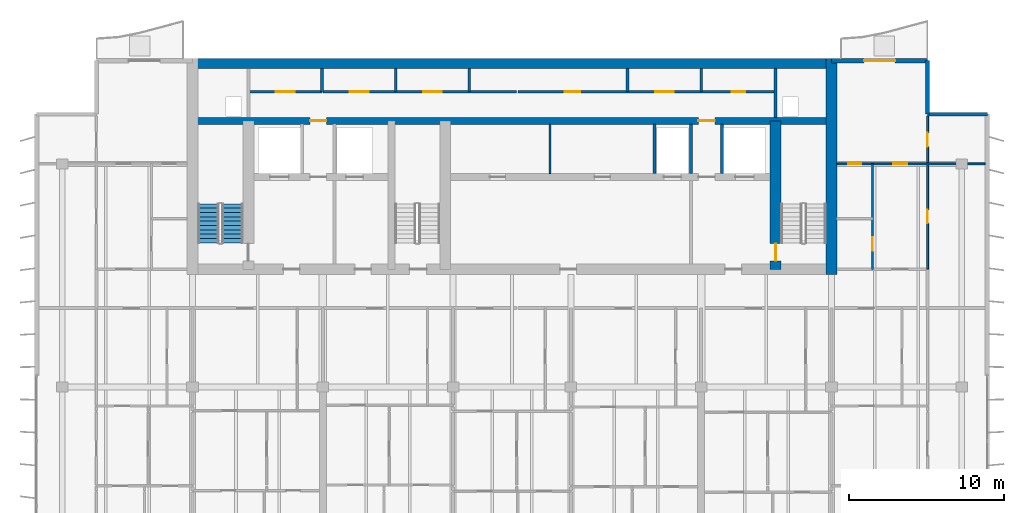
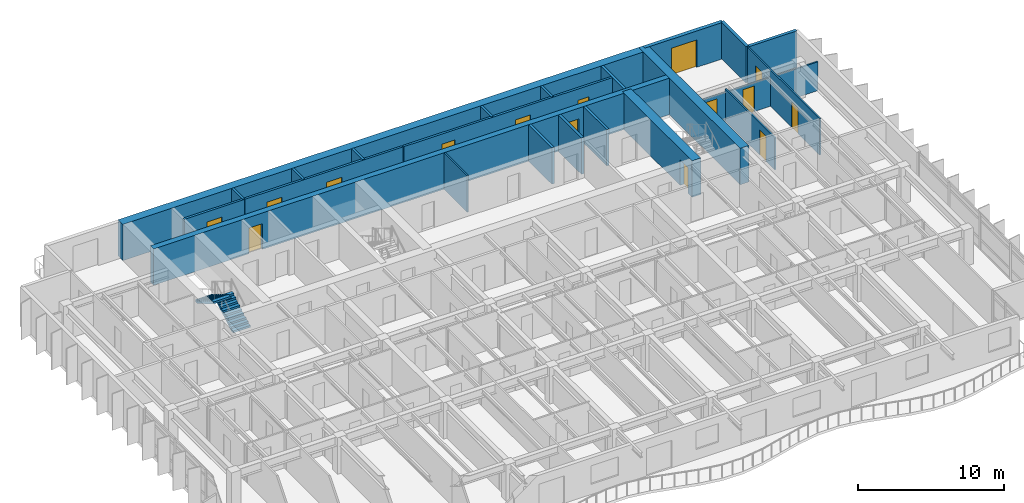
# One storey, part 11 of 17: 23 walls, 15 doors, 2 stair flights, 15 openings, 1 element without a shape of its own.
"""IFC4 building model written with IfcOpenShell, lengths in metres."""

from ifc_helpers import new_model, si_unit, direction, frame, frame_2d, origin, place, context, subcontext, project, spatial, polyline, rectangle, outline, extrude, material, layer, layer_set, type_object, element, fill, aggregate, save


model = new_model("IFC4")

# Units and contexts
model_context = context("Model", 3, precision=1e-05, world=origin(), true_north=direction((0.0, 1.0)))
body_context = subcontext(model_context, "Body", "Model", "MODEL_VIEW")
ifc_project = project(units=[si_unit("LENGTHUNIT", "METRE"), si_unit("AREAUNIT", "SQUARE_METRE"), si_unit("VOLUMEUNIT", "CUBIC_METRE"), si_unit("PLANEANGLEUNIT", "RADIAN"), si_unit("MASSUNIT", "GRAM", prefix="KILO")], contexts=[model_context])

# Site, building, storey
site_placement = place(None, origin())
site = spatial("IfcSite", under=ifc_project, at=site_placement, CompositionType="ELEMENT")
building_placement = place(site_placement, origin())
building = spatial("IfcBuilding", under=site, at=building_placement, Name="Caelmar Bay Residences", CompositionType="ELEMENT")
storey_placement = place(building_placement, frame((0.0, 0.0, 229.800048828125)))
storey = spatial("IfcBuildingStorey", under=building, at=storey_placement, Name="L64", CompositionType="ELEMENT", Elevation=229.800048828125)

# Wall
ifc_material_1 = material(Name="Concrete f'c 55 MPa (8,000 psi)", Category="concrete")
ifc_layer_1 = layer(ifc_material_1, 0.699951171875)
ifc_layer_set_1 = layer_set([ifc_layer_1], Name="Concrete f'c 55 MPa (8,000 psi)")
wall_type_1 = type_object("IfcWallType", Name="SW-COR-700", PredefinedType="SHEAR", material=ifc_layer_set_1)
wall_1_placement = place(storey_placement, frame((59.5, 36.64990234375, 0.0), z_axis=(0.0, 0.0, 1.0), x_axis=(0.0, 1.0, 0.0)))
element("IfcWall", 1, at=wall_1_placement, inside=storey, type_object=wall_type_1, Name="L64 Rear Core East Shear Wall", PredefinedType="SHEAR", context=body_context, shape_type="SweptSolid", body=[
    extrude(rectangle(XDim=13.9501953125, YDim=0.699951171875, at=frame_2d((6.97509765625, 0.0))), origin(), (0.0, 0.0, 1.0), 3.050048828125),
])

# Wall, opening, door
wall_2_placement = place(storey_placement, frame((55.89990234375, 37.0, 0.0), z_axis=(0.0, 0.0, 1.0), x_axis=(0.0, 1.0, 0.0)))
wall_2 = element("IfcWall", 2, at=wall_2_placement, inside=storey, type_object=wall_type_1, Name="L64 Core Structural Web Wall ST2W", PredefinedType="SHEAR", context=body_context, shape_type="SweptSolid", body=[
    extrude(rectangle(XDim=9.574951171875, YDim=0.699951171875, at=frame_2d((4.78759765625, 0.0))), origin(), (0.0, 0.0, 1.0), 3.050048828125),
])
opening_1_placement = place(wall_2_placement, frame((0.550048828125, 0.0, 0.0)))
opening_1 = element("IfcOpeningElement", 3, at=opening_1_placement, cuts=wall_2, Name="Opening D-L64-110", PredefinedType="OPENING", context=body_context, shape_type="SweptSolid", body=[
    extrude(rectangle(XDim=1.10009765625, YDim=2.14990234375, at=frame_2d((0.550048828125, 1.074951171875))), frame((0.0, 0.35986328125, 0.0), z_axis=(0.0, -1.0, 0.0), x_axis=(1.0, 0.0, 0.0)), (0.0, 0.0, 1.0), 0.719970703125),
])
ifc_material_2 = material(Name="Fire-rated steel and walnut architectural door assembly", Category="steel")
ifc_layer_2 = layer(ifc_material_2, 0.050048828125)
ifc_layer_set_2 = layer_set([ifc_layer_2], Name="Fire-rated steel and walnut architectural door assembly")
door_type_1 = type_object("IfcDoorType", Name="D-STAIR-1100", OperationType="NOTDEFINED", PredefinedType="DOOR", material=ifc_layer_set_2)
door_1_placement = place(opening_1_placement, origin())
door_1 = element("IfcDoor", 4, at=door_1_placement, inside=storey, type_object=door_type_1, Name="L64 Firefighting Lobby East Door", OperationType="SINGLE_SWING_LEFT", OverallHeight=2.14990234375, OverallWidth=1.10009765625, PredefinedType="DOOR", context=body_context, shape_type="SweptSolid", body=[
    extrude(rectangle(XDim=1.10009765625, YDim=2.14990234375, at=frame_2d((0.550048828125, 1.074951171875))), frame((0.0, 0.02490234375, 0.0), z_axis=(0.0, -1.0, 0.0), x_axis=(1.0, 0.0, 0.0)), (0.0, 0.0, 1.0), 0.050048828125),
])
fill(opening_1, door_1)

# Wall
ifc_layer_3 = layer(ifc_material_1, 0.64990234375)
ifc_layer_set_3 = layer_set([ifc_layer_3], Name="Concrete f'c 55 MPa (8,000 psi)")
wall_type_2 = type_object("IfcWallType", Name="SW-CORN-650", PredefinedType="SHEAR", material=ifc_layer_set_3)
wall_3_placement = place(storey_placement, frame((17.949951171875, 50.27490234375, 0.0), z_axis=(0.0, 0.0, 1.0), x_axis=(1.0, 0.0, 0.0)))
element("IfcWall", 5, at=wall_3_placement, inside=storey, type_object=wall_type_2, Name="L64 Rear Core North Shear Wall", PredefinedType="SHEAR", context=body_context, shape_type="SweptSolid", body=[
    extrude(rectangle(XDim=41.900146484375, YDim=0.64990234375, at=frame_2d((20.9501953125, 0.0))), origin(), (0.0, 0.0, 1.0), 3.050048828125),
])

# Wall, openings, doors
ifc_material_3 = material(Name="Concrete f'c 70 MPa (10,000 psi)", Category="concrete")
ifc_layer_4 = layer(ifc_material_3, 0.449951171875)
ifc_layer_set_4 = layer_set([ifc_layer_4], Name="Concrete f'c 70 MPa (10,000 psi)")
wall_type_3 = type_object("IfcWallType", Name="SW-WEB-450", PredefinedType="SHEAR", material=ifc_layer_set_4)
wall_4_placement = place(storey_placement, frame((18.300048828125, 46.574951171875, 0.0), z_axis=(0.0, 0.0, 1.0), x_axis=(1.0, 0.0, 0.0)))
wall_4 = element("IfcWall", 6, at=wall_4_placement, inside=storey, type_object=wall_type_3, Name="L64 Core Structural Web Wall SRVS", PredefinedType="SHEAR", context=body_context, shape_type="SweptSolid", body=[
    extrude(rectangle(XDim=41.199951171875, YDim=0.449951171875, at=frame_2d((20.60009765625, 0.0))), origin(), (0.0, 0.0, 1.0), 3.050048828125),
])
opening_2_placement = place(wall_4_placement, frame((7.574951171875, 0.0, 0.0)))
opening_2 = element("IfcOpeningElement", 7, at=opening_2_placement, cuts=wall_4, Name="Opening D-L64-116", PredefinedType="OPENING", context=body_context, shape_type="SweptSolid", body=[
    extrude(rectangle(XDim=1.050048828125, YDim=2.14990234375, at=frame_2d((0.52490234375, 1.074951171875))), frame((0.0, 0.23486328125, 0.0), z_axis=(0.0, -1.0, 0.0), x_axis=(1.0, 0.0, 0.0)), (0.0, 0.0, 1.0), 0.469970703125),
])
opening_3_placement = place(wall_4_placement, frame((32.625, 0.0, 0.0)))
opening_3 = element("IfcOpeningElement", 8, at=opening_3_placement, cuts=wall_4, Name="Opening D-L64-117", PredefinedType="OPENING", context=body_context, shape_type="SweptSolid", body=[
    extrude(rectangle(XDim=1.050048828125, YDim=2.14990234375, at=frame_2d((0.52490234375, 1.074951171875))), frame((0.0, 0.23486328125, 0.0), z_axis=(0.0, -1.0, 0.0), x_axis=(1.0, 0.0, 0.0)), (0.0, 0.0, 1.0), 0.469970703125),
])
ifc_layer_5 = layer(ifc_material_2, 0.050048828125)
ifc_layer_set_5 = layer_set([ifc_layer_5], Name="Fire-rated steel and walnut architectural door assembly")
door_type_2 = type_object("IfcDoorType", Name="D-FSAE-1050", OperationType="NOTDEFINED", PredefinedType="DOOR", material=ifc_layer_set_5)
door_2_placement = place(opening_2_placement, origin())
door_2 = element("IfcDoor", 9, at=door_2_placement, inside=storey, type_object=door_type_2, Name="L64 Core Service Corridor Door", OperationType="SINGLE_SWING_LEFT", OverallHeight=2.14990234375, OverallWidth=1.050048828125, PredefinedType="DOOR", context=body_context, shape_type="SweptSolid", body=[
    extrude(rectangle(XDim=1.050048828125, YDim=2.14990234375, at=frame_2d((0.52490234375, 1.074951171875))), frame((0.0, 0.02490234375, 0.0), z_axis=(0.0, -1.0, 0.0), x_axis=(1.0, 0.0, 0.0)), (0.0, 0.0, 1.0), 0.050048828125),
])
fill(opening_2, door_2)
door_3_placement = place(opening_3_placement, origin())
door_3 = element("IfcDoor", 10, at=door_3_placement, inside=storey, type_object=door_type_2, Name="L64 Core Service Corridor Door", OperationType="SINGLE_SWING_RIGHT", OverallHeight=2.14990234375, OverallWidth=1.050048828125, PredefinedType="DOOR", context=body_context, shape_type="SweptSolid", body=[
    extrude(rectangle(XDim=1.050048828125, YDim=2.14990234375, at=frame_2d((0.52490234375, 1.074951171875))), frame((0.0, 0.02490234375, 0.0), z_axis=(0.0, -1.0, 0.0), x_axis=(1.0, 0.0, 0.0)), (0.0, 0.0, 1.0), 0.050048828125),
])
fill(opening_3, door_3)

# Walls
ifc_material_4 = material(Name="Double-stud acoustic fire-rated gypsum partition 180 mm")
ifc_layer_6 = layer(ifc_material_4, 0.179931640625)
ifc_layer_set_6 = layer_set([ifc_layer_6], Name="Double-stud acoustic fire-rated gypsum partition 180 mm")
wall_type_4 = type_object("IfcWallType", Name="W-COR-200", PredefinedType="PARTITIONING", material=ifc_layer_set_6)
for number, where, z_axis, x_axis, name in (
    (11, (26.64990234375, 48.449951171875, 0.0), (0.0, 0.0, 1.0), (0.0, 1.0, 0.0), "L64 Partition Wall V029"),
    (12, (31.39990234375, 48.449951171875, 0.0), (0.0, 0.0, 1.0), (0.0, 1.0, 0.0), "L64 Partition Wall V040"),
    (13, (36.14990234375, 48.449951171875, 0.0), (0.0, 0.0, 1.0), (0.0, 1.0, 0.0), "L64 Partition Wall V048"),
    (14, (46.35009765625, 48.449951171875, 0.0), (0.0, 0.0, 1.0), (0.0, 1.0, 0.0), "L64 Partition Wall V062"),
    (15, (51.10009765625, 48.449951171875, 0.0), (0.0, 0.0, 1.0), (0.0, 1.0, 0.0), "L64 Partition Wall V075"),
):
    element("IfcWall", number, at=place(storey_placement, frame(where, z_axis=z_axis, x_axis=x_axis)), inside=storey, type_object=wall_type_4, Name=name, PredefinedType="PARTITIONING", context=body_context, shape_type="SweptSolid", body=[
        extrude(rectangle(XDim=1.505126953125, YDim=0.179931640625, at=frame_2d((0.75244140625, 0.0))), origin(), (0.0, 0.0, 1.0), 3.050048828125),
    ])

# Wall, opening, door
wall_5_placement = place(storey_placement, frame((21.89990234375, 48.449951171875, 0.0), z_axis=(0.0, 0.0, 1.0), x_axis=(1.0, 0.0, 0.0)))
wall_5 = element("IfcWall", 16, at=wall_5_placement, inside=storey, type_object=wall_type_4, Name="L64 Partition Wall H131", PredefinedType="PARTITIONING", context=body_context, shape_type="SweptSolid", body=[
    extrude(rectangle(XDim=4.75, YDim=0.179931640625, at=frame_2d((2.375, 0.0))), origin(), (0.0, 0.0, 1.0), 3.050048828125),
])
opening_4_placement = place(wall_5_placement, frame((1.77490234375, 0.0, 0.0)))
opening_4 = element("IfcOpeningElement", 17, at=opening_4_placement, cuts=wall_5, Name="Opening D-L64-118", PredefinedType="OPENING", context=body_context, shape_type="SweptSolid", body=[
    extrude(rectangle(XDim=1.199951171875, YDim=2.199951171875, at=frame_2d((0.60009765625, 1.10009765625))), frame((0.0, 0.099853515625, 0.0), z_axis=(0.0, -1.0, 0.0), x_axis=(1.0, 0.0, 0.0)), (0.0, 0.0, 1.0), 0.199951171875),
])
ifc_layer_7 = layer(ifc_material_2, 0.050048828125)
ifc_layer_set_7 = layer_set([ifc_layer_7], Name="Fire-rated steel and walnut architectural door assembly")
door_type_3 = type_object("IfcDoorType", Name="D-PLANT-1200", OperationType="NOTDEFINED", PredefinedType="DOOR", material=ifc_layer_set_7)
door_4_placement = place(opening_4_placement, origin())
door_4 = element("IfcDoor", 18, at=door_4_placement, inside=storey, type_object=door_type_3, Name="L64 Branch Panel Closet Door", OperationType="SINGLE_SWING_LEFT", OverallHeight=2.199951171875, OverallWidth=1.199951171875, PredefinedType="DOOR", context=body_context, shape_type="SweptSolid", body=[
    extrude(rectangle(XDim=1.199951171875, YDim=2.199951171875, at=frame_2d((0.60009765625, 1.10009765625))), frame((0.0, 0.02490234375, 0.0), z_axis=(0.0, -1.0, 0.0), x_axis=(1.0, 0.0, 0.0)), (0.0, 0.0, 1.0), 0.050048828125),
])
fill(opening_4, door_4)

# Wall, openings, doors
wall_6_placement = place(storey_placement, frame((26.699951171875, 48.449951171875, 0.0), z_axis=(0.0, 0.0, 1.0), x_axis=(1.0, 0.0, 0.0)))
wall_6 = element("IfcWall", 19, at=wall_6_placement, inside=storey, type_object=wall_type_4, Name="L64 Partition Wall H132", PredefinedType="PARTITIONING", context=body_context, shape_type="SweptSolid", body=[
    extrude(rectangle(XDim=12.504150390625, YDim=0.179931640625, at=frame_2d((6.251953125, 0.0))), origin(), (0.0, 0.0, 1.0), 3.050048828125),
])
opening_5_placement = place(wall_6_placement, frame((1.75, 0.0, 0.0)))
opening_5 = element("IfcOpeningElement", 20, at=opening_5_placement, cuts=wall_6, Name="Opening D-L64-119", PredefinedType="OPENING", context=body_context, shape_type="SweptSolid", body=[
    extrude(rectangle(XDim=1.199951171875, YDim=2.199951171875, at=frame_2d((0.60009765625, 1.10009765625))), frame((0.0, 0.099853515625, 0.0), z_axis=(0.0, -1.0, 0.0), x_axis=(1.0, 0.0, 0.0)), (0.0, 0.0, 1.0), 0.199951171875),
])
opening_6_placement = place(wall_6_placement, frame((6.47509765625, 0.0, 0.0)))
opening_6 = element("IfcOpeningElement", 21, at=opening_6_placement, cuts=wall_6, Name="Opening D-L64-120", PredefinedType="OPENING", context=body_context, shape_type="SweptSolid", body=[
    extrude(rectangle(XDim=1.199951171875, YDim=2.199951171875, at=frame_2d((0.60009765625, 1.10009765625))), frame((0.0, 0.099853515625, 0.0), z_axis=(0.0, -1.0, 0.0), x_axis=(1.0, 0.0, 0.0)), (0.0, 0.0, 1.0), 0.199951171875),
])
door_5_placement = place(opening_5_placement, origin())
door_5 = element("IfcDoor", 22, at=door_5_placement, inside=storey, type_object=door_type_3, Name="L64 Water Meter Closet Door", OperationType="SINGLE_SWING_RIGHT", OverallHeight=2.199951171875, OverallWidth=1.199951171875, PredefinedType="DOOR", context=body_context, shape_type="SweptSolid", body=[
    extrude(rectangle(XDim=1.199951171875, YDim=2.199951171875, at=frame_2d((0.60009765625, 1.10009765625))), frame((0.0, 0.02490234375, 0.0), z_axis=(0.0, -1.0, 0.0), x_axis=(1.0, 0.0, 0.0)), (0.0, 0.0, 1.0), 0.050048828125),
])
fill(opening_5, door_5)
door_6_placement = place(opening_6_placement, origin())
door_6 = element("IfcDoor", 23, at=door_6_placement, inside=storey, type_object=door_type_3, Name="L64 Low-Voltage Data Closet Door", OperationType="SINGLE_SWING_LEFT", OverallHeight=2.199951171875, OverallWidth=1.199951171875, PredefinedType="DOOR", context=body_context, shape_type="SweptSolid", body=[
    extrude(rectangle(XDim=1.199951171875, YDim=2.199951171875, at=frame_2d((0.60009765625, 1.10009765625))), frame((0.0, 0.02490234375, 0.0), z_axis=(0.0, -1.0, 0.0), x_axis=(1.0, 0.0, 0.0)), (0.0, 0.0, 1.0), 0.050048828125),
])
fill(opening_6, door_6)

wall_7_placement = place(storey_placement, frame((39.280029296875, 48.449951171875, 0.0), z_axis=(0.0, 0.0, 1.0), x_axis=(1.0, 0.0, 0.0)))
wall_7 = element("IfcWall", 24, at=wall_7_placement, inside=storey, type_object=wall_type_4, Name="L64 Partition Wall H133", PredefinedType="PARTITIONING", context=body_context, shape_type="SweptSolid", body=[
    extrude(rectangle(XDim=16.619873046875, YDim=0.179931640625, at=frame_2d((8.31005859375, 0.0))), origin(), (0.0, 0.0, 1.0), 3.050048828125),
])
opening_7_placement = place(wall_7_placement, frame((3.034912109375, 0.0, 0.0)))
opening_7 = element("IfcOpeningElement", 25, at=opening_7_placement, cuts=wall_7, Name="Opening D-L64-121", PredefinedType="OPENING", context=body_context, shape_type="SweptSolid", body=[
    extrude(rectangle(XDim=1.0, YDim=2.199951171875, at=frame_2d((0.5, 1.10009765625))), frame((0.0, 0.099853515625, 0.0), z_axis=(0.0, -1.0, 0.0), x_axis=(1.0, 0.0, 0.0)), (0.0, 0.0, 1.0), 0.199951171875),
])
opening_8_placement = place(wall_7_placement, frame((8.844970703125, 0.0, 0.0)))
opening_8 = element("IfcOpeningElement", 26, at=opening_8_placement, cuts=wall_7, Name="Opening D-L64-122", PredefinedType="OPENING", context=body_context, shape_type="SweptSolid", body=[
    extrude(rectangle(XDim=1.199951171875, YDim=2.199951171875, at=frame_2d((0.60009765625, 1.10009765625))), frame((0.0, 0.099853515625, 0.0), z_axis=(0.0, -1.0, 0.0), x_axis=(1.0, 0.0, 0.0)), (0.0, 0.0, 1.0), 0.199951171875),
])
opening_9_placement = place(wall_7_placement, frame((13.794921875, 0.0, 0.0)))
opening_9 = element("IfcOpeningElement", 27, at=opening_9_placement, cuts=wall_7, Name="Opening D-L64-123", PredefinedType="OPENING", context=body_context, shape_type="SweptSolid", body=[
    extrude(rectangle(XDim=0.85009765625, YDim=2.10009765625, at=frame_2d((0.425048828125, 1.050048828125))), frame((0.0, 0.099853515625, 0.0), z_axis=(0.0, -1.0, 0.0), x_axis=(1.0, 0.0, 0.0)), (0.0, 0.0, 1.0), 0.199951171875),
])
ifc_layer_8 = layer(ifc_material_2, 0.050048828125)
ifc_layer_set_8 = layer_set([ifc_layer_8], Name="Fire-rated steel and walnut architectural door assembly")
door_type_4 = type_object("IfcDoorType", Name="D-CORE-850", OperationType="NOTDEFINED", PredefinedType="DOOR", material=ifc_layer_set_8)
door_7_placement = place(opening_9_placement, origin())
door_7 = element("IfcDoor", 28, at=door_7_placement, inside=storey, type_object=door_type_4, Name="L64 Staff Restroom Door", OperationType="SINGLE_SWING_RIGHT", OverallHeight=2.10009765625, OverallWidth=0.85009765625, PredefinedType="DOOR", context=body_context, shape_type="SweptSolid", body=[
    extrude(rectangle(XDim=0.85009765625, YDim=2.10009765625, at=frame_2d((0.425048828125, 1.050048828125))), frame((0.0, 0.02490234375, 0.0), z_axis=(0.0, -1.0, 0.0), x_axis=(1.0, 0.0, 0.0)), (0.0, 0.0, 1.0), 0.050048828125),
])
fill(opening_9, door_7)
door_8_placement = place(opening_8_placement, origin())
door_8 = element("IfcDoor", 29, at=door_8_placement, inside=storey, type_object=door_type_3, Name="L64 Valet Trunk Closet Door", OperationType="SINGLE_SWING_LEFT", OverallHeight=2.199951171875, OverallWidth=1.199951171875, PredefinedType="DOOR", context=body_context, shape_type="SweptSolid", body=[
    extrude(rectangle(XDim=1.199951171875, YDim=2.199951171875, at=frame_2d((0.60009765625, 1.10009765625))), frame((0.0, 0.02490234375, 0.0), z_axis=(0.0, -1.0, 0.0), x_axis=(1.0, 0.0, 0.0)), (0.0, 0.0, 1.0), 0.050048828125),
])
fill(opening_8, door_8)
ifc_layer_9 = layer(ifc_material_2, 0.050048828125)
ifc_layer_set_9 = layer_set([ifc_layer_9], Name="Fire-rated steel and walnut architectural door assembly")
door_type_5 = type_object("IfcDoorType", Name="D-UNIT-1000", OperationType="NOTDEFINED", PredefinedType="DOOR", material=ifc_layer_set_9)
door_9_placement = place(opening_7_placement, origin())
door_9 = element("IfcDoor", 30, at=door_9_placement, inside=storey, type_object=door_type_5, Name="L64 Mail Sorting Office Door", OperationType="SINGLE_SWING_RIGHT", OverallHeight=2.199951171875, OverallWidth=1.0, PredefinedType="DOOR", context=body_context, shape_type="SweptSolid", body=[
    extrude(rectangle(XDim=1.0, YDim=2.199951171875, at=frame_2d((0.5, 1.10009765625))), frame((0.0, 0.02490234375, 0.0), z_axis=(0.0, -1.0, 0.0), x_axis=(1.0, 0.0, 0.0)), (0.0, 0.0, 1.0), 0.050048828125),
])
fill(opening_7, door_9)

# Walls
ifc_material_5 = material(Name="Precast concrete f'c 40 MPa (6,000 psi)", Category="concrete")
ifc_layer_10 = layer(ifc_material_5, 0.25)
ifc_layer_set_10 = layer_set([ifc_layer_10], Name="Precast concrete f'c 40 MPa (6,000 psi)")
wall_type_5 = type_object("IfcWallType", Name="W-EXT-250", PredefinedType="ELEMENTEDWALL", material=ifc_layer_set_10)
wall_8_placement = place(storey_placement, frame((65.699951171875, 50.449951171875, 0.0), z_axis=(0.0, 0.0, 1.0), x_axis=(0.0, -1.0, 0.0)))
element("IfcWall", 31, at=wall_8_placement, inside=storey, type_object=wall_type_5, Name="L64 NNE-V Notch Wall", PredefinedType="ELEMENTEDWALL", context=body_context, shape_type="SweptSolid", body=[
    extrude(rectangle(XDim=3.449951171875, YDim=0.25, at=frame_2d((1.72509765625, 0.0))), origin(), (0.0, 0.0, 1.0), 3.050048828125),
])
wall_9_placement = place(storey_placement, frame((65.699951171875, 47.0, 0.0), z_axis=(0.0, 0.0, 1.0), x_axis=(1.0, 0.0, 0.0)))
element("IfcWall", 32, at=wall_9_placement, inside=storey, type_object=wall_type_5, Name="L64 NNE-H Notch Wall", PredefinedType="ELEMENTEDWALL", context=body_context, shape_type="SweptSolid", body=[
    extrude(rectangle(XDim=3.85009765625, YDim=0.25, at=frame_2d((1.925048828125, 0.0))), origin(), (0.0, 0.0, 1.0), 3.050048828125),
])

# Wall, opening, door
ifc_layer_11 = layer(ifc_material_5, 0.300048828125)
ifc_layer_set_11 = layer_set([ifc_layer_11], Name="Precast concrete f'c 40 MPa (6,000 psi)")
wall_type_6 = type_object("IfcWallType", Name="W-EXT-300", PredefinedType="STANDARD", material=ifc_layer_set_11)
wall_10_placement = place(storey_placement, frame((59.5, 50.449951171875, 0.0), z_axis=(0.0, 0.0, 1.0), x_axis=(1.0, 0.0, 0.0)))
wall_10 = element("IfcWall", 33, at=wall_10_placement, inside=storey, type_object=wall_type_6, Name="L64 North-East Wing Exterior Wall", PredefinedType="STANDARD", context=body_context, shape_type="SweptSolid", body=[
    extrude(rectangle(XDim=6.199951171875, YDim=0.300048828125, at=frame_2d((3.10009765625, 0.0))), origin(), (0.0, 0.0, 1.0), 3.050048828125),
])
opening_10_placement = place(wall_10_placement, frame((2.10009765625, 0.0, 0.0)))
opening_10 = element("IfcOpeningElement", 34, at=opening_10_placement, cuts=wall_10, Name="Opening L64-BDNE", PredefinedType="OPENING", context=body_context, shape_type="SweptSolid", body=[
    extrude(rectangle(XDim=2.0, YDim=2.300048828125, at=frame_2d((1.0, 1.14990234375))), frame((0.0, 0.159912109375, 0.0), z_axis=(0.0, -1.0, 0.0), x_axis=(1.0, 0.0, 0.0)), (0.0, 0.0, 1.0), 0.320068359375),
])
ifc_material_6 = material(Name="Anodised bronze thermally broken sliding glass door", Category="glass")
ifc_layer_12 = layer(ifc_material_6, 0.050048828125)
ifc_layer_set_12 = layer_set([ifc_layer_12], Name="Anodised bronze thermally broken sliding glass door")
door_type_6 = type_object("IfcDoorType", Name="D-BAL-2000", OperationType="DOUBLE_DOOR_SLIDING", PredefinedType="DOOR", material=ifc_layer_set_12)
door_10_placement = place(opening_10_placement, origin())
door_10 = element("IfcDoor", 35, at=door_10_placement, inside=storey, type_object=door_type_6, Name="L64 North-East Balcony Door", OperationType="DOUBLE_DOOR_SLIDING", OverallHeight=2.300048828125, OverallWidth=2.0, PredefinedType="DOOR", context=body_context, shape_type="SweptSolid", body=[
    extrude(rectangle(XDim=2.0, YDim=2.300048828125, at=frame_2d((1.0, 1.14990234375))), frame((0.0, 0.02490234375, 0.0), z_axis=(0.0, -1.0, 0.0), x_axis=(1.0, 0.0, 0.0)), (0.0, 0.0, 1.0), 0.050048828125),
])
fill(opening_10, door_10)

# Walls
ifc_material_7 = material(Name="Fire-rated masonry and gypsum shaftliner assembly 200 mm", Category="masonry")
ifc_layer_13 = layer(ifc_material_7, 0.199951171875)
ifc_layer_set_13 = layer_set([ifc_layer_13], Name="Fire-rated masonry and gypsum shaftliner assembly 200 mm")
wall_type_7 = type_object("IfcWallType", Name="W-FSAE-200", PredefinedType="PARTITIONING", material=ifc_layer_set_13)
for number, where, z_axis, x_axis, name in (
    (36, (48.10009765625, 43.169921875, 0.0), (0.0, 0.0, 1.0), (0.0, 1.0, 0.0), "L64 Partition Wall V068"),
    (37, (50.449951171875, 43.169921875, 0.0), (0.0, 0.0, 1.0), (0.0, 1.0, 0.0), "L64 Partition Wall V071"),
    (38, (52.449951171875, 43.169921875, 0.0), (0.0, 0.0, 1.0), (0.0, 1.0, 0.0), "L64 Partition Wall V076"),
):
    element("IfcWall", number, at=place(storey_placement, frame(where, z_axis=z_axis, x_axis=x_axis)), inside=storey, type_object=wall_type_7, Name=name, PredefinedType="PARTITIONING", context=body_context, shape_type="SweptSolid", body=[
        extrude(rectangle(XDim=3.18505859375, YDim=0.199951171875, at=frame_2d((1.592529296875, 0.0))), origin(), (0.0, 0.0, 1.0), 3.050048828125),
    ])
wall_11_placement = place(storey_placement, frame((55.89990234375, 46.794921875, 0.0), z_axis=(0.0, 0.0, 1.0), x_axis=(0.0, 1.0, 0.0)))
element("IfcWall", 39, at=wall_11_placement, inside=storey, type_object=wall_type_7, Name="L64 Partition Wall V081", PredefinedType="PARTITIONING", context=body_context, shape_type="SweptSolid", body=[
    extrude(rectangle(XDim=3.16015625, YDim=0.199951171875, at=frame_2d((1.580078125, 0.0))), origin(), (0.0, 0.0, 1.0), 3.050048828125),
])
ifc_material_8 = material(Name="Acoustic metal-stud gypsum partition 120 mm")
ifc_layer_14 = layer(ifc_material_8, 0.1201171875)
ifc_layer_set_14 = layer_set([ifc_layer_14], Name="Acoustic metal-stud gypsum partition 120 mm")
wall_type_8 = type_object("IfcWallType", Name="W-PRT-120", PredefinedType="PARTITIONING", material=ifc_layer_set_14)
wall_12_placement = place(storey_placement, frame((41.35009765625, 43.169921875, 0.0), z_axis=(0.0, 0.0, 1.0), x_axis=(0.0, 1.0, 0.0)))
element("IfcWall", 40, at=wall_12_placement, inside=storey, type_object=wall_type_8, Name="L64 Partition Wall V055", PredefinedType="PARTITIONING", context=body_context, shape_type="SweptSolid", body=[
    extrude(rectangle(XDim=3.18505859375, YDim=0.1201171875, at=frame_2d((1.592529296875, 0.0))), origin(), (0.0, 0.0, 1.0), 3.050048828125),
])

# Wall, opening, door
wall_13_placement = place(storey_placement, frame((62.14990234375, 37.0, 0.0), z_axis=(0.0, 0.0, 1.0), x_axis=(0.0, 1.0, 0.0)))
wall_13 = element("IfcWall", 41, at=wall_13_placement, inside=storey, type_object=wall_type_8, Name="L64 Partition Wall V090", PredefinedType="PARTITIONING", context=body_context, shape_type="SweptSolid", body=[
    extrude(rectangle(XDim=6.800048828125, YDim=0.1201171875, at=frame_2d((3.39990234375, 0.0))), origin(), (0.0, 0.0, 1.0), 2.678955078125),
])
opening_11_placement = place(wall_13_placement, frame((1.20703125, 0.0, 0.0)))
opening_11 = element("IfcOpeningElement", 42, at=opening_11_placement, cuts=wall_13, Name="Opening D-L64-177", PredefinedType="OPENING", context=body_context, shape_type="SweptSolid", body=[
    extrude(rectangle(XDim=0.85009765625, YDim=2.10009765625, at=frame_2d((0.425048828125, 1.050048828125))), frame((0.0, 0.070068359375, 0.0), z_axis=(0.0, -1.0, 0.0), x_axis=(1.0, 0.0, 0.0)), (0.0, 0.0, 1.0), 0.14013671875),
])
ifc_material_9 = material(Name="Solid walnut timber interior door leaf and frame", Category="wood")
ifc_layer_15 = layer(ifc_material_9, 0.050048828125)
ifc_layer_set_15 = layer_set([ifc_layer_15], Name="Solid walnut timber interior door leaf and frame")
door_type_7 = type_object("IfcDoorType", Name="D-BATH-850", OperationType="NOTDEFINED", PredefinedType="DOOR", material=ifc_layer_set_15)
door_11_placement = place(opening_11_placement, origin())
door_11 = element("IfcDoor", 43, at=door_11_placement, inside=storey, type_object=door_type_7, Name="L64 Residence EA Walk-In Closet Door", OperationType="SINGLE_SWING_RIGHT", OverallHeight=2.10009765625, OverallWidth=0.85009765625, PredefinedType="DOOR", context=body_context, shape_type="SweptSolid", body=[
    extrude(rectangle(XDim=0.85009765625, YDim=2.10009765625, at=frame_2d((0.425048828125, 1.050048828125))), frame((0.0, 0.02490234375, 0.0), z_axis=(0.0, -1.0, 0.0), x_axis=(1.0, 0.0, 0.0)), (0.0, 0.0, 1.0), 0.050048828125),
])
fill(opening_11, door_11)

# Wall, openings, doors
wall_14_placement = place(storey_placement, frame((65.699951171875, 37.0048828125, 0.0), z_axis=(0.0, 0.0, 1.0), x_axis=(0.0, 1.0, 0.0)))
wall_14 = element("IfcWall", 44, at=wall_14_placement, inside=storey, type_object=wall_type_8, Name="L64 Partition Wall V101", PredefinedType="PARTITIONING", context=body_context, shape_type="SweptSolid", body=[
    extrude(rectangle(XDim=9.875, YDim=0.1201171875, at=frame_2d((4.9375, 0.0))), origin(), (0.0, 0.0, 1.0), 3.050048828125),
])
opening_12_placement = place(wall_14_placement, frame((2.947509765625, 0.0, 0.0)))
opening_12 = element("IfcOpeningElement", 45, at=opening_12_placement, cuts=wall_14, Name="Opening D-L64-179", PredefinedType="OPENING", context=body_context, shape_type="SweptSolid", body=[
    extrude(rectangle(XDim=0.89990234375, YDim=2.14990234375, at=frame_2d((0.449951171875, 1.074951171875))), frame((0.0, 0.070068359375, 0.0), z_axis=(0.0, -1.0, 0.0), x_axis=(1.0, 0.0, 0.0)), (0.0, 0.0, 1.0), 0.14013671875),
])
opening_13_placement = place(wall_14_placement, frame((7.885009765625, 0.0, 0.0)))
opening_13 = element("IfcOpeningElement", 46, at=opening_13_placement, cuts=wall_14, Name="Opening D-L64-180", PredefinedType="OPENING", context=body_context, shape_type="SweptSolid", body=[
    extrude(rectangle(XDim=0.89990234375, YDim=2.14990234375, at=frame_2d((0.449951171875, 1.074951171875))), frame((0.0, 0.070068359375, 0.0), z_axis=(0.0, -1.0, 0.0), x_axis=(1.0, 0.0, 0.0)), (0.0, 0.0, 1.0), 0.14013671875),
])
ifc_layer_16 = layer(ifc_material_9, 0.050048828125)
ifc_layer_set_16 = layer_set([ifc_layer_16], Name="Solid walnut timber interior door leaf and frame")
door_type_8 = type_object("IfcDoorType", Name="D-ROOM-900", OperationType="NOTDEFINED", PredefinedType="DOOR", material=ifc_layer_set_16)
door_12_placement = place(opening_12_placement, origin())
door_12 = element("IfcDoor", 47, at=door_12_placement, inside=storey, type_object=door_type_8, Name="L64 Residence EA Sun Study Door", OperationType="SINGLE_SWING_RIGHT", OverallHeight=2.14990234375, OverallWidth=0.89990234375, PredefinedType="DOOR", context=body_context, shape_type="SweptSolid", body=[
    extrude(rectangle(XDim=0.89990234375, YDim=2.14990234375, at=frame_2d((0.449951171875, 1.074951171875))), frame((0.0, 0.02490234375, 0.0), z_axis=(0.0, -1.0, 0.0), x_axis=(1.0, 0.0, 0.0)), (0.0, 0.0, 1.0), 0.050048828125),
])
fill(opening_12, door_12)
door_13_placement = place(opening_13_placement, origin())
door_13 = element("IfcDoor", 48, at=door_13_placement, inside=storey, type_object=door_type_8, Name="L64 Residence EA North Sitting Alcove Door", OperationType="SINGLE_SWING_LEFT", OverallHeight=2.14990234375, OverallWidth=0.89990234375, PredefinedType="DOOR", context=body_context, shape_type="SweptSolid", body=[
    extrude(rectangle(XDim=0.89990234375, YDim=2.14990234375, at=frame_2d((0.449951171875, 1.074951171875))), frame((0.0, 0.02490234375, 0.0), z_axis=(0.0, -1.0, 0.0), x_axis=(1.0, 0.0, 0.0)), (0.0, 0.0, 1.0), 0.050048828125),
])
fill(opening_13, door_13)

wall_15_placement = place(storey_placement, frame((59.844970703125, 43.800048828125, 0.0), z_axis=(0.0, 0.0, 1.0), x_axis=(1.0, 0.0, 0.0)))
wall_15 = element("IfcWall", 49, at=wall_15_placement, inside=storey, type_object=wall_type_8, Name="L64 Partition Wall H130", PredefinedType="PARTITIONING", context=body_context, shape_type="SweptSolid", body=[
    extrude(rectangle(XDim=9.56005859375, YDim=0.1201171875, at=frame_2d((4.780029296875, 0.0))), origin(), (0.0, 0.0, 1.0), 2.41796875),
])
opening_14_placement = place(wall_15_placement, frame((3.6298828125, 0.0, 0.0)))
opening_14 = element("IfcOpeningElement", 50, at=opening_14_placement, cuts=wall_15, Name="Opening D-L64-176", PredefinedType="OPENING", context=body_context, shape_type="SweptSolid", body=[
    extrude(rectangle(XDim=0.89990234375, YDim=2.14990234375, at=frame_2d((0.449951171875, 1.074951171875))), frame((0.0, 0.070068359375, 0.0), z_axis=(0.0, -1.0, 0.0), x_axis=(1.0, 0.0, 0.0)), (0.0, 0.0, 1.0), 0.14013671875),
])
opening_15_placement = place(wall_15_placement, frame((0.7275390625, 0.0, 0.0)))
opening_15 = element("IfcOpeningElement", 51, at=opening_15_placement, cuts=wall_15, Name="Opening D-L64-178", PredefinedType="OPENING", context=body_context, shape_type="SweptSolid", body=[
    extrude(rectangle(XDim=0.85009765625, YDim=2.10009765625, at=frame_2d((0.425048828125, 1.050048828125))), frame((0.0, 0.070068359375, 0.0), z_axis=(0.0, -1.0, 0.0), x_axis=(1.0, 0.0, 0.0)), (0.0, 0.0, 1.0), 0.14013671875),
])
door_14_placement = place(opening_15_placement, origin())
door_14 = element("IfcDoor", 52, at=door_14_placement, inside=storey, type_object=door_type_7, Name="L64 Residence EA Bathroom Door", OperationType="SINGLE_SWING_LEFT", OverallHeight=2.10009765625, OverallWidth=0.85009765625, PredefinedType="DOOR", context=body_context, shape_type="SweptSolid", body=[
    extrude(rectangle(XDim=0.85009765625, YDim=2.10009765625, at=frame_2d((0.425048828125, 1.050048828125))), frame((0.0, 0.02490234375, 0.0), z_axis=(0.0, -1.0, 0.0), x_axis=(1.0, 0.0, 0.0)), (0.0, 0.0, 1.0), 0.050048828125),
])
fill(opening_15, door_14)
door_15_placement = place(opening_14_placement, origin())
door_15 = element("IfcDoor", 53, at=door_15_placement, inside=storey, type_object=door_type_8, Name="L64 Residence EA Studio Living and Sleeping Room Door", OperationType="SINGLE_SWING_LEFT", OverallHeight=2.14990234375, OverallWidth=0.89990234375, PredefinedType="DOOR", context=body_context, shape_type="SweptSolid", body=[
    extrude(rectangle(XDim=0.89990234375, YDim=2.14990234375, at=frame_2d((0.449951171875, 1.074951171875))), frame((0.0, 0.02490234375, 0.0), z_axis=(0.0, -1.0, 0.0), x_axis=(1.0, 0.0, 0.0)), (0.0, 0.0, 1.0), 0.050048828125),
])
fill(opening_14, door_15)

# Stair, stair flights
ifc_material_10 = material(Name="Concrete f'c 40 MPa (6,000 psi)", Category="concrete")
stair_type = type_object("IfcStairType", Name="ST-TYP-165", PredefinedType="HALF_TURN_STAIR", material=ifc_material_10)
stair_placement = place(storey_placement, origin())
stair = element("IfcStair", 54, at=stair_placement, inside=storey, type_object=stair_type, Name="L64 West Smokeproof Exit Stair ST1", PredefinedType="HALF_TURN_STAIR")
stair_flight_type = type_object("IfcStairFlightType", Name="STF-1350", PredefinedType="STRAIGHT", material=ifc_material_10)
stair_flight_1_placement = place(storey_placement, frame((20.875, 38.699951171875, 0.0), z_axis=(0.0, 0.0, 1.0), x_axis=(0.0, 1.0, 0.0)))
stair_flight_1 = element("IfcStairFlight", 55, at=stair_flight_1_placement, type_object=stair_flight_type, Name="ST1 flight 1", NumberOfRisers=10, NumberOfTreads=9, PredefinedType="STRAIGHT", RiserHeight=0.165, TreadLength=0.28, context=body_context, shape_type="SweptSolid", body=[
    extrude(outline(polyline([(0.0, 0.0), (0.0, 0.1650390625), (0.280029296875, 0.1650390625), (0.280029296875, 0.330078125), (0.56005859375, 0.330078125), (0.56005859375, 0.4951171875), (0.840087890625, 0.4951171875), (0.840087890625, 0.659912109375), (1.1201171875, 0.659912109375), (1.1201171875, 0.824951171875), (1.39990234375, 0.824951171875), (1.39990234375, 0.989990234375), (1.679931640625, 0.989990234375), (1.679931640625, 1.155029296875), (1.9599609375, 1.155029296875), (1.9599609375, 1.320068359375), (2.239990234375, 1.320068359375), (2.239990234375, 1.485107421875), (2.52001953125, 1.485107421875), (2.52001953125, 1.64990234375), (2.52001953125, 1.31103515625), (0.295166015625, 0.0), (0.0, 0.0)])), frame((0.0, 0.675048828125, 0.0), z_axis=(0.0, -1.0, 0.0), x_axis=(1.0, 0.0, 0.0)), (0.0, 0.0, 1.0), 1.35009765625),
])
stair_flight_2_placement = place(storey_placement, frame((19.324951171875, 41.219970703125, 1.64990234375), z_axis=(0.0, 0.0, 1.0), x_axis=(0.0, -1.0, 0.0)))
stair_flight_2 = element("IfcStairFlight", 56, at=stair_flight_2_placement, type_object=stair_flight_type, Name="ST1 flight 2", NumberOfRisers=10, NumberOfTreads=9, PredefinedType="STRAIGHT", RiserHeight=0.165, TreadLength=0.28, context=body_context, shape_type="SweptSolid", body=[
    extrude(outline(polyline([(0.0, 0.0), (0.0, 0.1650390625), (0.280029296875, 0.1650390625), (0.280029296875, 0.330078125), (0.56005859375, 0.330078125), (0.56005859375, 0.4951171875), (0.840087890625, 0.4951171875), (0.840087890625, 0.659912109375), (1.1201171875, 0.659912109375), (1.1201171875, 0.824951171875), (1.39990234375, 0.824951171875), (1.39990234375, 0.989990234375), (1.679931640625, 0.989990234375), (1.679931640625, 1.155029296875), (1.9599609375, 1.155029296875), (1.9599609375, 1.320068359375), (2.239990234375, 1.320068359375), (2.239990234375, 1.485107421875), (2.52001953125, 1.485107421875), (2.52001953125, 1.64990234375), (2.52001953125, 1.31103515625), (0.295166015625, 0.0), (0.0, 0.0)])), frame((0.0, 0.675048828125, 0.0), z_axis=(0.0, -1.0, 0.0), x_axis=(1.0, 0.0, 0.0)), (0.0, 0.0, 1.0), 1.35009765625),
])
aggregate(stair, [stair_flight_1, stair_flight_2])

save(model, "model.ifc")
